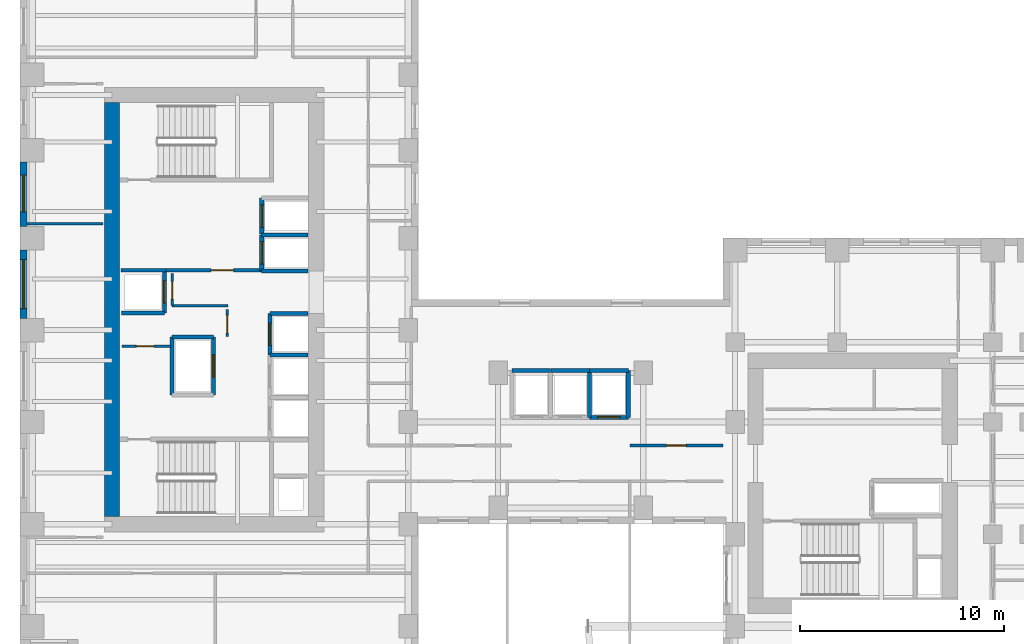
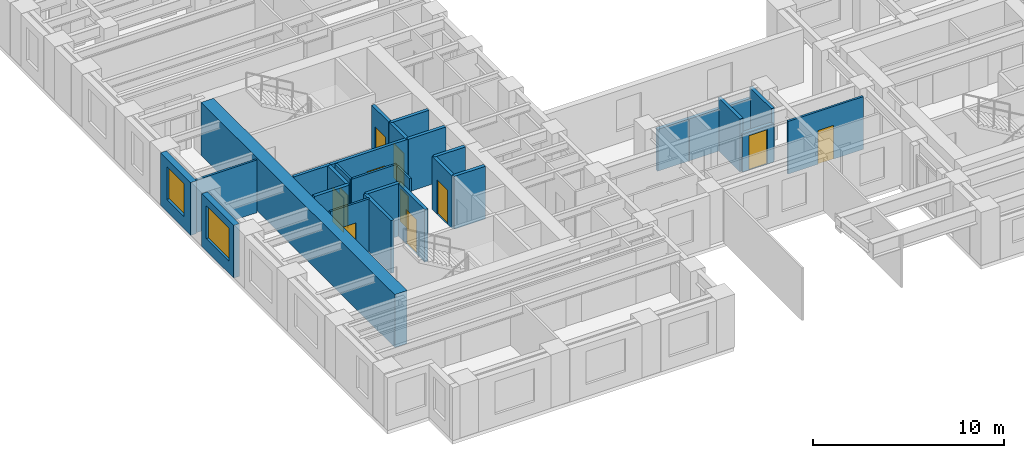
# One storey, part 8 of 14: 29 walls, 11 doors, 2 windows, 13 openings.
"""IFC4 building model written with IfcOpenShell, lengths in metres."""

from ifc_helpers import new_model, si_unit, direction, frame, frame_2d, origin, place, context, subcontext, project, spatial, rectangle, extrude, source, transform, mapped, material, layer, layer_set, type_object, element, fill, save


model = new_model("IFC4")

# Units and contexts
model_context = context("Model", 3, precision=1e-05, world=origin(), true_north=direction((0.0, 1.0)))
body_context = subcontext(model_context, "Body", "Model", "MODEL_VIEW")
ifc_project = project(units=[si_unit("LENGTHUNIT", "METRE"), si_unit("AREAUNIT", "SQUARE_METRE"), si_unit("VOLUMEUNIT", "CUBIC_METRE"), si_unit("PLANEANGLEUNIT", "RADIAN"), si_unit("MASSUNIT", "GRAM", prefix="KILO")], contexts=[model_context])

# Site, building, storey
site_placement = place(None, origin())
site = spatial("IfcSite", under=ifc_project, at=site_placement, CompositionType="ELEMENT")
building_placement = place(site_placement, origin())
building = spatial("IfcBuilding", under=site, at=building_placement, Name="Kharzan Plaza Tower", CompositionType="ELEMENT")
storey_placement = place(building_placement, frame((0.0, 0.0, 88.199951171875)))
storey = spatial("IfcBuildingStorey", under=building, at=storey_placement, Name="L23", CompositionType="ELEMENT", Elevation=88.199951171875)

# Wall, opening, window
ifc_material_1 = material(Name="Concrete C40/50", Category="concrete")
ifc_layer_1 = layer(ifc_material_1, 0.35009765625)
ifc_layer_set_1 = layer_set([ifc_layer_1], Name="Concrete C40/50")
wall_type_1 = type_object("IfcWallType", Name="WL-EXT-MAS-Z2", PredefinedType="SOLIDWALL", material=ifc_layer_set_1)
wall_1_placement = place(storey_placement, frame((0.175048828125, 26.22705078125, 0.0), z_axis=(0.0, 0.0, 1.0), x_axis=(0.0, -1.0, 0.0)))
wall_1 = element("IfcWall", 1, at=wall_1_placement, inside=storey, type_object=wall_type_1, Name="L23 Masonry-Frame Exterior Wall 21", PredefinedType="SOLIDWALL", context=body_context, shape_type="SweptSolid", body=[
    extrude(rectangle(XDim=3.154052734375, YDim=0.35009765625, at=frame_2d((1.5771484375, 0.0))), origin(), (0.0, 0.0, 1.0), 3.364990234375),
])
opening_1_placement = place(wall_1_placement, frame((0.6484375, 0.0, 0.780029296875)))
opening_1 = element("IfcOpeningElement", 2, at=opening_1_placement, cuts=wall_1, Name="Opening W1", PredefinedType="OPENING", context=body_context, shape_type="SweptSolid", body=[
    extrude(rectangle(XDim=1.800048828125, YDim=2.10009765625, at=frame_2d((0.89990234375, 1.050048828125))), frame((0.0, 0.18505859375, 0.0), z_axis=(0.0, -1.0, 0.0), x_axis=(1.0, 0.0, 0.0)), (0.0, 0.0, 1.0), 0.3701171875),
])
ifc_material_2 = material(Name="Low-E Double Glazing", Category="glass")
window_type_1 = type_object("IfcWindowType", Name="WN-REC-1800x2100", PartitioningType="SINGLE_PANEL", PredefinedType="WINDOW", material=ifc_material_2)
shared_shape_1 = source(origin(), body_context, "Body", "SweptSolid", [
    extrude(rectangle(XDim=1.800048828125, YDim=2.10009765625, at=frame_2d((0.89990234375, 1.050048828125))), frame((0.0, 0.030029296875, 0.0), z_axis=(0.0, -1.0, 0.0), x_axis=(1.0, 0.0, 0.0)), (0.0, 0.0, 1.0), 0.06005859375),
])
window_1_placement = place(opening_1_placement, origin())
window_1 = element("IfcWindow", 3, at=window_1_placement, inside=storey, type_object=window_type_1, Name="L23 Recessed Solar-Control Window 21-1", OverallHeight=2.10009765625, OverallWidth=1.800048828125, PartitioningType="SINGLE_PANEL", PredefinedType="WINDOW", context=body_context, shape_type="MappedRepresentation", body=[
    mapped(shared_shape_1, transform((0.0, 0.0, 0.0), x_axis=(1.0, 0.0, 0.0), y_axis=(0.0, 1.0, 0.0), z_axis=(0.0, 0.0, 1.0))),
])
fill(opening_1, window_1)

wall_2_placement = place(storey_placement, frame((0.175048828125, 21.927001953125, 0.0), z_axis=(0.0, 0.0, 1.0), x_axis=(0.0, -1.0, 0.0)))
wall_2 = element("IfcWall", 4, at=wall_2_placement, inside=storey, type_object=wall_type_1, Name="L23 Masonry-Frame Exterior Wall 22", PredefinedType="SOLIDWALL", context=body_context, shape_type="SweptSolid", body=[
    extrude(rectangle(XDim=3.35400390625, YDim=0.35009765625, at=frame_2d((1.677001953125, 0.0))), origin(), (0.0, 0.0, 1.0), 3.364990234375),
])
opening_2_placement = place(wall_2_placement, frame((0.47705078125, 0.0, 0.780029296875)))
opening_2 = element("IfcOpeningElement", 5, at=opening_2_placement, cuts=wall_2, Name="Opening W2", PredefinedType="OPENING", context=body_context, shape_type="SweptSolid", body=[
    extrude(rectangle(XDim=2.39990234375, YDim=2.10009765625, at=frame_2d((1.199951171875, 1.050048828125))), frame((0.0, 0.18505859375, 0.0), z_axis=(0.0, -1.0, 0.0), x_axis=(1.0, 0.0, 0.0)), (0.0, 0.0, 1.0), 0.3701171875),
])
window_type_2 = type_object("IfcWindowType", Name="WN-REC-2400x2100", PartitioningType="SINGLE_PANEL", PredefinedType="WINDOW", material=ifc_material_2)
shared_shape_2 = source(origin(), body_context, "Body", "SweptSolid", [
    extrude(rectangle(XDim=2.39990234375, YDim=2.10009765625, at=frame_2d((1.199951171875, 1.050048828125))), frame((0.0, 0.030029296875, 0.0), z_axis=(0.0, -1.0, 0.0), x_axis=(1.0, 0.0, 0.0)), (0.0, 0.0, 1.0), 0.06005859375),
])
window_2_placement = place(opening_2_placement, origin())
window_2 = element("IfcWindow", 6, at=window_2_placement, inside=storey, type_object=window_type_2, Name="L23 Wide Recessed Solar-Control Window 22-1", OverallHeight=2.10009765625, OverallWidth=2.39990234375, PartitioningType="SINGLE_PANEL", PredefinedType="WINDOW", context=body_context, shape_type="MappedRepresentation", body=[
    mapped(shared_shape_2, transform((0.0, 0.0, 0.0), x_axis=(1.0, 0.0, 0.0), y_axis=(0.0, 1.0, 0.0), z_axis=(0.0, 0.0, 1.0))),
])
fill(opening_2, window_2)

# Wall, opening, door
ifc_layer_2 = layer(ifc_material_1, 0.179931640625)
ifc_layer_set_2 = layer_set([ifc_layer_2], Name="Concrete C40/50")
wall_type_2 = type_object("IfcWallType", Name="WL-INT-FIRE-180", PredefinedType="PARTITIONING", material=ifc_layer_set_2)
wall_3_placement = place(storey_placement, frame((7.14990234375, 20.919921875, 0.0), z_axis=(0.0, 0.0, 1.0), x_axis=(1.0, 0.0, 0.0)))
wall_3 = element("IfcWall", 7, at=wall_3_placement, inside=storey, type_object=wall_type_2, Name="L23 Interior Partition CA-FF-S", PredefinedType="PARTITIONING", context=body_context, shape_type="SweptSolid", body=[
    extrude(rectangle(XDim=4.68017578125, YDim=0.179931640625, at=frame_2d((2.340087890625, 0.0))), origin(), (0.0, 0.0, 1.0), 3.364990234375),
])
opening_3_placement = place(wall_3_placement, frame((2.199951171875, 0.0, 0.0)))
opening_3 = element("IfcOpeningElement", 8, at=opening_3_placement, cuts=wall_3, Name="Opening FD1", PredefinedType="OPENING", context=body_context, shape_type="SweptSolid", body=[
    extrude(rectangle(XDim=1.10009765625, YDim=2.14990234375, at=frame_2d((0.550048828125, 1.074951171875))), frame((0.0, 0.099853515625, 0.0), z_axis=(0.0, -1.0, 0.0), x_axis=(1.0, 0.0, 0.0)), (0.0, 0.0, 1.0), 0.199951171875),
])
ifc_material_3 = material(Name="Fire-Rated Acoustic Vision-Panel Steel", Category="steel")
door_type_1 = type_object("IfcDoorType", Name="DR-FIRE-LOBBY", OperationType="NOTDEFINED", PredefinedType="DOOR", material=ifc_material_3)
shared_shape_3 = source(origin(), body_context, "Body", "SweptSolid", [
    extrude(rectangle(XDim=1.10009765625, YDim=2.14990234375, at=frame_2d((0.550048828125, 1.074951171875))), frame((0.0, 0.02490234375, 0.0), z_axis=(0.0, -1.0, 0.0), x_axis=(1.0, 0.0, 0.0)), (0.0, 0.0, 1.0), 0.050048828125),
])
door_1_placement = place(opening_3_placement, origin())
door_1 = element("IfcDoor", 9, at=door_1_placement, inside=storey, type_object=door_type_1, Name="L23 Firefighting Lobby Door", OperationType="SINGLE_SWING_LEFT", OverallHeight=2.14990234375, OverallWidth=1.10009765625, PredefinedType="DOOR", context=body_context, shape_type="MappedRepresentation", body=[
    mapped(shared_shape_3, transform((0.0, 0.0, 0.0), x_axis=(1.0, 0.0, 0.0), y_axis=(0.0, 1.0, 0.0), z_axis=(0.0, 0.0, 1.0))),
])
fill(opening_3, door_1)

ifc_material_4 = material(Name="Fire-Rated Gypsum Board Partition", Category="gypsum")
ifc_layer_3 = layer(ifc_material_4, 0.125)
ifc_layer_set_3 = layer_set([ifc_layer_3], Name="Fire-Rated Gypsum Board Partition")
wall_type_3 = type_object("IfcWallType", Name="WL-INT-PART-125", PredefinedType="PARTITIONING", material=ifc_layer_set_3)
wall_4_placement = place(storey_placement, frame((10.14990234375, 17.679931640625, 0.0), z_axis=(0.0, 0.0, 1.0), x_axis=(0.0, 1.0, 0.0)))
wall_4 = element("IfcWall", 10, at=wall_4_placement, inside=storey, type_object=wall_type_3, Name="L23 Interior Partition CA-K2A", PredefinedType="PARTITIONING", context=body_context, shape_type="SweptSolid", body=[
    extrude(rectangle(XDim=1.320068359375, YDim=0.125, at=frame_2d((0.66015625, 0.0))), origin(), (0.0, 0.0, 1.0), 3.364990234375),
])
opening_4_placement = place(wall_4_placement, frame((0.18505859375, 0.0, 0.0)))
opening_4 = element("IfcOpeningElement", 11, at=opening_4_placement, cuts=wall_4, Name="Opening RD1", PredefinedType="OPENING", context=body_context, shape_type="SweptSolid", body=[
    extrude(rectangle(XDim=0.85009765625, YDim=2.10009765625, at=frame_2d((0.425048828125, 1.050048828125))), frame((0.0, 0.072509765625, 0.0), z_axis=(0.0, -1.0, 0.0), x_axis=(1.0, 0.0, 0.0)), (0.0, 0.0, 1.0), 0.14501953125),
])
ifc_material_5 = material(Name="Powder-Coated Fire-Rated Steel", Category="steel")
door_type_2 = type_object("IfcDoorType", Name="DR-RISER-900", OperationType="NOTDEFINED", PredefinedType="DOOR", material=ifc_material_5)
shared_shape_4 = source(origin(), body_context, "Body", "SweptSolid", [
    extrude(rectangle(XDim=0.85009765625, YDim=2.10009765625, at=frame_2d((0.425048828125, 1.050048828125))), frame((0.0, 0.02490234375, 0.0), z_axis=(0.0, -1.0, 0.0), x_axis=(1.0, 0.0, 0.0)), (0.0, 0.0, 1.0), 0.050048828125),
])
door_2_placement = place(opening_4_placement, origin())
door_2 = element("IfcDoor", 12, at=door_2_placement, inside=storey, type_object=door_type_2, Name="L23 Core Mechanical Store Door", OperationType="SINGLE_SWING_RIGHT", OverallHeight=2.10009765625, OverallWidth=0.85009765625, PredefinedType="DOOR", context=body_context, shape_type="MappedRepresentation", body=[
    mapped(shared_shape_4, transform((0.0, 0.0, 0.0), x_axis=(1.0, 0.0, 0.0), y_axis=(0.0, 1.0, 0.0), z_axis=(0.0, 0.0, 1.0))),
])
fill(opening_4, door_2)

wall_5_placement = place(storey_placement, frame((7.449951171875, 19.199951171875, 0.0), z_axis=(0.0, 0.0, 1.0), x_axis=(0.0, 1.0, 0.0)))
wall_5 = element("IfcWall", 13, at=wall_5_placement, inside=storey, type_object=wall_type_3, Name="L23 Interior Partition CA-K2B", PredefinedType="PARTITIONING", context=body_context, shape_type="SweptSolid", body=[
    extrude(rectangle(XDim=1.580078125, YDim=0.125, at=frame_2d((0.7900390625, 0.0))), origin(), (0.0, 0.0, 1.0), 3.364990234375),
])
opening_5_placement = place(wall_5_placement, frame((0.31494140625, 0.0, 0.0)))
opening_5 = element("IfcOpeningElement", 14, at=opening_5_placement, cuts=wall_5, Name="Opening RD1", PredefinedType="OPENING", context=body_context, shape_type="SweptSolid", body=[
    extrude(rectangle(XDim=0.85009765625, YDim=2.10009765625, at=frame_2d((0.425048828125, 1.050048828125))), frame((0.0, 0.072509765625, 0.0), z_axis=(0.0, -1.0, 0.0), x_axis=(1.0, 0.0, 0.0)), (0.0, 0.0, 1.0), 0.14501953125),
])
door_3_placement = place(opening_5_placement, origin())
door_3 = element("IfcDoor", 15, at=door_3_placement, inside=storey, type_object=door_type_2, Name="L23 Core Plant Store Door", OperationType="SINGLE_SWING_LEFT", OverallHeight=2.10009765625, OverallWidth=0.85009765625, PredefinedType="DOOR", context=body_context, shape_type="MappedRepresentation", body=[
    mapped(shared_shape_4, transform((0.0, 0.0, 0.0), x_axis=(1.0, 0.0, 0.0), y_axis=(0.0, 1.0, 0.0), z_axis=(0.0, 0.0, 1.0))),
])
fill(opening_5, door_3)

wall_6_placement = place(storey_placement, frame((5.0, 17.199951171875, 0.0), z_axis=(0.0, 0.0, 1.0), x_axis=(1.0, 0.0, 0.0)))
wall_6 = element("IfcWall", 16, at=wall_6_placement, inside=storey, type_object=wall_type_3, Name="L23 Interior Partition CA-K2N0", PredefinedType="PARTITIONING", context=body_context, shape_type="SweptSolid", body=[
    extrude(rectangle(XDim=2.39990234375, YDim=0.125, at=frame_2d((1.199951171875, 0.0))), origin(), (0.0, 0.0, 1.0), 3.364990234375),
])
opening_6_placement = place(wall_6_placement, frame((0.699951171875, 0.0, 0.0)))
opening_6 = element("IfcOpeningElement", 17, at=opening_6_placement, cuts=wall_6, Name="Opening RD1", PredefinedType="OPENING", context=body_context, shape_type="SweptSolid", body=[
    extrude(rectangle(XDim=0.85009765625, YDim=2.10009765625, at=frame_2d((0.425048828125, 1.050048828125))), frame((0.0, 0.072509765625, 0.0), z_axis=(0.0, -1.0, 0.0), x_axis=(1.0, 0.0, 0.0)), (0.0, 0.0, 1.0), 0.14501953125),
])
door_4_placement = place(opening_6_placement, origin())
door_4 = element("IfcDoor", 18, at=door_4_placement, inside=storey, type_object=door_type_2, Name="L23 Core Electrical Store Door", OperationType="SINGLE_SWING_LEFT", OverallHeight=2.10009765625, OverallWidth=0.85009765625, PredefinedType="DOOR", context=body_context, shape_type="MappedRepresentation", body=[
    mapped(shared_shape_4, transform((0.0, 0.0, 0.0), x_axis=(1.0, 0.0, 0.0), y_axis=(0.0, 1.0, 0.0), z_axis=(0.0, 0.0, 1.0))),
])
fill(opening_6, door_4)

wall_7_placement = place(storey_placement, frame((29.85009765625, 12.35009765625, 0.0), z_axis=(0.0, 0.0, 1.0), x_axis=(1.0, 0.0, 0.0)))
wall_7 = element("IfcWall", 19, at=wall_7_placement, inside=storey, type_object=wall_type_3, Name="L23 Interior Partition SH-SPNE1", PredefinedType="PARTITIONING", context=body_context, shape_type="SweptSolid", body=[
    extrude(rectangle(XDim=4.5498046875, YDim=0.125, at=frame_2d((2.27490234375, 0.0))), origin(), (0.0, 0.0, 1.0), 3.364990234375),
])
opening_7_placement = place(wall_7_placement, frame((1.800048828125, 0.0, 0.0)))
opening_7 = element("IfcOpeningElement", 20, at=opening_7_placement, cuts=wall_7, Name="Opening OD1", PredefinedType="OPENING", context=body_context, shape_type="SweptSolid", body=[
    extrude(rectangle(XDim=0.949951171875, YDim=2.14990234375, at=frame_2d((0.47509765625, 1.074951171875))), frame((0.0, 0.072509765625, 0.0), z_axis=(0.0, -1.0, 0.0), x_axis=(1.0, 0.0, 0.0)), (0.0, 0.0, 1.0), 0.14501953125),
])
ifc_material_6 = material(Name="Acoustic Solid-Core Stained Oak", Category="timber")
door_type_3 = type_object("IfcDoorType", Name="DR-OFF-SINGLE", OperationType="NOTDEFINED", PredefinedType="DOOR", material=ifc_material_6)
shared_shape_5 = source(origin(), body_context, "Body", "SweptSolid", [
    extrude(rectangle(XDim=0.949951171875, YDim=2.14990234375, at=frame_2d((0.47509765625, 1.074951171875))), frame((0.0, 0.02490234375, 0.0), z_axis=(0.0, -1.0, 0.0), x_axis=(1.0, 0.0, 0.0)), (0.0, 0.0, 1.0), 0.050048828125),
])
door_5_placement = place(opening_7_placement, origin())
door_5 = element("IfcDoor", 21, at=door_5_placement, inside=storey, type_object=door_type_3, Name="L23 North-East Spine Door", OperationType="SINGLE_SWING_RIGHT", OverallHeight=2.14990234375, OverallWidth=0.949951171875, PredefinedType="DOOR", context=body_context, shape_type="MappedRepresentation", body=[
    mapped(shared_shape_5, transform((0.0, 0.0, 0.0), x_axis=(1.0, 0.0, 0.0), y_axis=(0.0, 1.0, 0.0), z_axis=(0.0, 0.0, 1.0))),
])
fill(opening_7, door_5)

ifc_layer_4 = layer(ifc_material_1, 0.199951171875)
ifc_layer_set_4 = layer_set([ifc_layer_4], Name="Concrete C40/50")
wall_type_4 = type_object("IfcWallType", Name="WL-INT-SHAFT-200", PredefinedType="PARTITIONING", material=ifc_layer_set_4)
wall_8_placement = place(storey_placement, frame((11.830078125, 20.89990234375, 0.0), z_axis=(0.0, 0.0, 1.0), x_axis=(0.0, 1.0, 0.0)))
wall_8 = element("IfcWall", 22, at=wall_8_placement, inside=storey, type_object=wall_type_4, Name="L23 Interior Partition SHF-FFL-1-W", PredefinedType="PARTITIONING", context=body_context, shape_type="SweptSolid", body=[
    extrude(rectangle(XDim=1.760009765625, YDim=0.199951171875, at=frame_2d((0.8798828125, 0.0))), origin(), (0.0, 0.0, 1.0), 3.364990234375),
])
opening_8_placement = place(wall_8_placement, frame((0.330078125, 0.0, 0.0)))
opening_8 = element("IfcOpeningElement", 23, at=opening_8_placement, cuts=wall_8, Name="Opening LD", PredefinedType="OPENING", context=body_context, shape_type="SweptSolid", body=[
    extrude(rectangle(XDim=1.10009765625, YDim=2.199951171875, at=frame_2d((0.550048828125, 1.10009765625))), frame((0.0, 0.10986328125, 0.0), z_axis=(0.0, -1.0, 0.0), x_axis=(1.0, 0.0, 0.0)), (0.0, 0.0, 1.0), 0.219970703125),
])
ifc_material_7 = material(Name="Brushed Stainless Steel", Category="steel")
door_type_4 = type_object("IfcDoorType", Name="DR-LIFT-SLIDE", OperationType="SLIDING_TO_LEFT", PredefinedType="DOOR", material=ifc_material_7)
shared_shape_6 = source(origin(), body_context, "Body", "SweptSolid", [
    extrude(rectangle(XDim=1.10009765625, YDim=2.199951171875, at=frame_2d((0.550048828125, 1.10009765625))), frame((0.0, 0.02490234375, 0.0), z_axis=(0.0, -1.0, 0.0), x_axis=(1.0, 0.0, 0.0)), (0.0, 0.0, 1.0), 0.050048828125),
])
door_6_placement = place(opening_8_placement, origin())
door_6 = element("IfcDoor", 24, at=door_6_placement, inside=storey, type_object=door_type_4, Name="L23 Firefighting Lift FFL-1 Sliding Landing Door", OperationType="SLIDING_TO_LEFT", OverallHeight=2.199951171875, OverallWidth=1.10009765625, PredefinedType="DOOR", context=body_context, shape_type="MappedRepresentation", body=[
    mapped(shared_shape_6, transform((0.0, 0.0, 0.0), x_axis=(1.0, 0.0, 0.0), y_axis=(0.0, 1.0, 0.0), z_axis=(0.0, 0.0, 1.0))),
])
fill(opening_8, door_6)

wall_9_placement = place(storey_placement, frame((11.830078125, 22.699951171875, 0.0), z_axis=(0.0, 0.0, 1.0), x_axis=(0.0, 1.0, 0.0)))
wall_9 = element("IfcWall", 25, at=wall_9_placement, inside=storey, type_object=wall_type_4, Name="L23 Interior Partition SHF-FFL-2-W", PredefinedType="PARTITIONING", context=body_context, shape_type="SweptSolid", body=[
    extrude(rectangle(XDim=1.760009765625, YDim=0.199951171875, at=frame_2d((0.8798828125, 0.0))), origin(), (0.0, 0.0, 1.0), 3.364990234375),
])
opening_9_placement = place(wall_9_placement, frame((0.330078125, 0.0, 0.0)))
opening_9 = element("IfcOpeningElement", 26, at=opening_9_placement, cuts=wall_9, Name="Opening LD", PredefinedType="OPENING", context=body_context, shape_type="SweptSolid", body=[
    extrude(rectangle(XDim=1.10009765625, YDim=2.199951171875, at=frame_2d((0.550048828125, 1.10009765625))), frame((0.0, 0.10986328125, 0.0), z_axis=(0.0, -1.0, 0.0), x_axis=(1.0, 0.0, 0.0)), (0.0, 0.0, 1.0), 0.219970703125),
])
door_7_placement = place(opening_9_placement, origin())
door_7 = element("IfcDoor", 27, at=door_7_placement, inside=storey, type_object=door_type_4, Name="L23 Firefighting Lift FFL-2 Sliding Landing Door", OperationType="SLIDING_TO_LEFT", OverallHeight=2.199951171875, OverallWidth=1.10009765625, PredefinedType="DOOR", context=body_context, shape_type="MappedRepresentation", body=[
    mapped(shared_shape_6, transform((0.0, 0.0, 0.0), x_axis=(1.0, 0.0, 0.0), y_axis=(0.0, 1.0, 0.0), z_axis=(0.0, 0.0, 1.0))),
])
fill(opening_9, door_7)

wall_10_placement = place(storey_placement, frame((12.22998046875, 16.77001953125, 0.0), z_axis=(0.0, 0.0, 1.0), x_axis=(0.0, 1.0, 0.0)))
wall_10 = element("IfcWall", 28, at=wall_10_placement, inside=storey, type_object=wall_type_4, Name="L23 Interior Partition SHF-PL-H3-W", PredefinedType="PARTITIONING", context=body_context, shape_type="SweptSolid", body=[
    extrude(rectangle(XDim=2.050048828125, YDim=0.199951171875, at=frame_2d((1.02490234375, 0.0))), origin(), (0.0, 0.0, 1.0), 3.364990234375),
])
opening_10_placement = place(wall_10_placement, frame((0.47509765625, 0.0, 0.0)))
opening_10 = element("IfcOpeningElement", 29, at=opening_10_placement, cuts=wall_10, Name="Opening LD", PredefinedType="OPENING", context=body_context, shape_type="SweptSolid", body=[
    extrude(rectangle(XDim=1.10009765625, YDim=2.199951171875, at=frame_2d((0.550048828125, 1.10009765625))), frame((0.0, 0.10986328125, 0.0), z_axis=(0.0, -1.0, 0.0), x_axis=(1.0, 0.0, 0.0)), (0.0, 0.0, 1.0), 0.219970703125),
])
door_8_placement = place(opening_10_placement, origin())
door_8 = element("IfcDoor", 30, at=door_8_placement, inside=storey, type_object=door_type_4, Name="L23 High-Rise Passenger Lift PL-H3 Sliding Landing Door", OperationType="SLIDING_TO_LEFT", OverallHeight=2.199951171875, OverallWidth=1.10009765625, PredefinedType="DOOR", context=body_context, shape_type="MappedRepresentation", body=[
    mapped(shared_shape_6, transform((0.0, 0.0, 0.0), x_axis=(1.0, 0.0, 0.0), y_axis=(0.0, 1.0, 0.0), z_axis=(0.0, 0.0, 1.0))),
])
fill(opening_10, door_8)

wall_11_placement = place(storey_placement, frame((7.070068359375, 18.840087890625, 0.0), z_axis=(0.0, 0.0, 1.0), x_axis=(0.0, 1.0, 0.0)))
wall_11 = element("IfcWall", 31, at=wall_11_placement, inside=storey, type_object=wall_type_4, Name="L23 Interior Partition SHF-PL-H4-E", PredefinedType="PARTITIONING", context=body_context, shape_type="SweptSolid", body=[
    extrude(rectangle(XDim=2.059814453125, YDim=0.199951171875, at=frame_2d((1.02978515625, 0.0))), origin(), (0.0, 0.0, 1.0), 3.364990234375),
])
opening_11_placement = place(wall_11_placement, frame((0.47998046875, 0.0, 0.0)))
opening_11 = element("IfcOpeningElement", 32, at=opening_11_placement, cuts=wall_11, Name="Opening LD", PredefinedType="OPENING", context=body_context, shape_type="SweptSolid", body=[
    extrude(rectangle(XDim=1.10009765625, YDim=2.199951171875, at=frame_2d((0.550048828125, 1.10009765625))), frame((0.0, 0.10986328125, 0.0), z_axis=(0.0, -1.0, 0.0), x_axis=(1.0, 0.0, 0.0)), (0.0, 0.0, 1.0), 0.219970703125),
])
door_9_placement = place(opening_11_placement, origin())
door_9 = element("IfcDoor", 33, at=door_9_placement, inside=storey, type_object=door_type_4, Name="L23 High-Rise Passenger Lift PL-H4 Sliding Landing Door", OperationType="SLIDING_TO_LEFT", OverallHeight=2.199951171875, OverallWidth=1.10009765625, PredefinedType="DOOR", context=body_context, shape_type="MappedRepresentation", body=[
    mapped(shared_shape_6, transform((0.0, 0.0, 0.0), x_axis=(1.0, 0.0, 0.0), y_axis=(0.0, 1.0, 0.0), z_axis=(0.0, 0.0, 1.0))),
])
fill(opening_11, door_9)

wall_12_placement = place(storey_placement, frame((27.8798828125, 13.72998046875, 0.0), z_axis=(0.0, 0.0, 1.0), x_axis=(1.0, 0.0, 0.0)))
wall_12 = element("IfcWall", 34, at=wall_12_placement, inside=storey, type_object=wall_type_4, Name="L23 Interior Partition SHF-PL-M3-S", PredefinedType="PARTITIONING", context=body_context, shape_type="SweptSolid", body=[
    extrude(rectangle(XDim=1.89013671875, YDim=0.199951171875, at=frame_2d((0.945068359375, 0.0))), origin(), (0.0, 0.0, 1.0), 2.446044921875),
])
opening_12_placement = place(wall_12_placement, frame((0.39501953125, 0.0, 0.0)))
opening_12 = element("IfcOpeningElement", 35, at=opening_12_placement, cuts=wall_12, Name="Opening LD", PredefinedType="OPENING", context=body_context, shape_type="SweptSolid", body=[
    extrude(rectangle(XDim=1.10009765625, YDim=2.199951171875, at=frame_2d((0.550048828125, 1.10009765625))), frame((0.0, 0.10986328125, 0.0), z_axis=(0.0, -1.0, 0.0), x_axis=(1.0, 0.0, 0.0)), (0.0, 0.0, 1.0), 0.219970703125),
])
door_10_placement = place(opening_12_placement, origin())
door_10 = element("IfcDoor", 36, at=door_10_placement, inside=storey, type_object=door_type_4, Name="L23 Mid-Rise Passenger Lift PL-M3 Sliding Landing Door", OperationType="SLIDING_TO_LEFT", OverallHeight=2.199951171875, OverallWidth=1.10009765625, PredefinedType="DOOR", context=body_context, shape_type="MappedRepresentation", body=[
    mapped(shared_shape_6, transform((0.0, 0.0, 0.0), x_axis=(1.0, 0.0, 0.0), y_axis=(0.0, 1.0, 0.0), z_axis=(0.0, 0.0, 1.0))),
])
fill(opening_12, door_10)

wall_13_placement = place(storey_placement, frame((9.469970703125, 14.830078125, 0.0), z_axis=(0.0, 0.0, 1.0), x_axis=(0.0, 1.0, 0.0)))
wall_13 = element("IfcWall", 37, at=wall_13_placement, inside=storey, type_object=wall_type_4, Name="L23 Interior Partition SHF-SVL-1-E", PredefinedType="PARTITIONING", context=body_context, shape_type="SweptSolid", body=[
    extrude(rectangle(XDim=2.83984375, YDim=0.199951171875, at=frame_2d((1.419921875, 0.0))), origin(), (0.0, 0.0, 1.0), 3.364990234375),
])
opening_13_placement = place(wall_13_placement, frame((0.8701171875, 0.0, 0.0)))
opening_13 = element("IfcOpeningElement", 38, at=opening_13_placement, cuts=wall_13, Name="Opening LD", PredefinedType="OPENING", context=body_context, shape_type="SweptSolid", body=[
    extrude(rectangle(XDim=1.10009765625, YDim=2.199951171875, at=frame_2d((0.550048828125, 1.10009765625))), frame((0.0, 0.10986328125, 0.0), z_axis=(0.0, -1.0, 0.0), x_axis=(1.0, 0.0, 0.0)), (0.0, 0.0, 1.0), 0.219970703125),
])
door_11_placement = place(opening_13_placement, origin())
door_11 = element("IfcDoor", 39, at=door_11_placement, inside=storey, type_object=door_type_4, Name="L23 Service Lift SVL-1 Sliding Landing Door", OperationType="SLIDING_TO_LEFT", OverallHeight=2.199951171875, OverallWidth=1.10009765625, PredefinedType="DOOR", context=body_context, shape_type="MappedRepresentation", body=[
    mapped(shared_shape_6, transform((0.0, 0.0, 0.0), x_axis=(1.0, 0.0, 0.0), y_axis=(0.0, 1.0, 0.0), z_axis=(0.0, 0.0, 1.0))),
])
fill(opening_13, door_11)

# Walls
shared_shape_7 = source(origin(), body_context, "Body", "SweptSolid", [
    extrude(rectangle(XDim=2.72998046875, YDim=0.125, at=frame_2d((1.364990234375, 0.0))), origin(), (0.0, 0.0, 1.0), 3.364990234375),
])
wall_14_placement = place(storey_placement, frame((7.449951171875, 19.199951171875, 0.0), z_axis=(0.0, 0.0, 1.0), x_axis=(1.0, 0.0, 0.0)))
element("IfcWall", 40, at=wall_14_placement, inside=storey, type_object=wall_type_3, Name="L23 Interior Partition CA-K2M", PredefinedType="PARTITIONING", context=body_context, shape_type="MappedRepresentation", body=[
    mapped(shared_shape_7, transform((0.0, 0.0, 0.0), x_axis=(1.0, 0.0, 0.0), y_axis=(0.0, 1.0, 0.0), z_axis=(0.0, 0.0, 1.0))),
])
shared_shape_8 = source(origin(), body_context, "Body", "SweptSolid", [
    extrude(rectangle(XDim=2.090087890625, YDim=0.199951171875, at=frame_2d((1.044921875, 0.0))), origin(), (0.0, 0.0, 1.0), 3.364990234375),
])
wall_15_placement = place(storey_placement, frame((4.97998046875, 18.840087890625, 0.0), z_axis=(0.0, 0.0, 1.0), x_axis=(1.0, 0.0, 0.0)))
element("IfcWall", 41, at=wall_15_placement, inside=storey, type_object=wall_type_4, Name="L23 Interior Partition SHF-PL-H4-S", PredefinedType="PARTITIONING", context=body_context, shape_type="MappedRepresentation", body=[
    mapped(shared_shape_8, transform((0.0, 0.0, 0.0), x_axis=(1.0, 0.0, 0.0), y_axis=(0.0, 1.0, 0.0), z_axis=(0.0, 0.0, 1.0))),
])
shared_shape_9 = source(origin(), body_context, "Body", "SweptSolid", [
    extrude(rectangle(XDim=2.2900390625, YDim=0.199951171875, at=frame_2d((1.14501953125, 0.0))), origin(), (0.0, 0.0, 1.0), 3.364990234375),
])
for number, where, z_axis, x_axis, name in (
    (42, (27.8701171875, 13.72998046875, 0.0), (0.0, 0.0, 1.0), (0.0, 1.0, 0.0), "L23 Interior Partition SHF-PL-M2-E"),
    (43, (29.77001953125, 13.72998046875, 0.0), (0.0, 0.0, 1.0), (0.0, 1.0, 0.0), "L23 Interior Partition SHF-PL-M3-E"),
):
    element("IfcWall", number, at=place(storey_placement, frame(where, z_axis=z_axis, x_axis=x_axis)), inside=storey, type_object=wall_type_4, Name=name, PredefinedType="PARTITIONING", context=body_context, shape_type="MappedRepresentation", body=[
        mapped(shared_shape_9, transform((0.0, 0.0, 0.0), x_axis=(1.0, 0.0, 0.0), y_axis=(0.0, 1.0, 0.0), z_axis=(0.0, 0.0, 1.0))),
    ])
shared_shape_10 = source(origin(), body_context, "Body", "SweptSolid", [
    extrude(rectangle(XDim=2.0400390625, YDim=0.199951171875, at=frame_2d((1.02001953125, 0.0))), origin(), (0.0, 0.0, 1.0), 3.364990234375),
])
wall_16_placement = place(storey_placement, frame((7.429931640625, 17.669921875, 0.0), z_axis=(0.0, 0.0, 1.0), x_axis=(1.0, 0.0, 0.0)))
element("IfcWall", 44, at=wall_16_placement, inside=storey, type_object=wall_type_4, Name="L23 Interior Partition SHF-SVL-1-N", PredefinedType="PARTITIONING", context=body_context, shape_type="MappedRepresentation", body=[
    mapped(shared_shape_10, transform((0.0, 0.0, 0.0), x_axis=(1.0, 0.0, 0.0), y_axis=(0.0, 1.0, 0.0), z_axis=(0.0, 0.0, 1.0))),
])
shared_shape_11 = source(origin(), body_context, "Body", "SweptSolid", [
    extrude(rectangle(XDim=2.83984375, YDim=0.199951171875, at=frame_2d((1.419921875, 0.0))), origin(), (0.0, 0.0, 1.0), 3.364990234375),
])
wall_17_placement = place(storey_placement, frame((7.429931640625, 14.830078125, 0.0), z_axis=(0.0, 0.0, 1.0), x_axis=(0.0, 1.0, 0.0)))
element("IfcWall", 45, at=wall_17_placement, inside=storey, type_object=wall_type_4, Name="L23 Interior Partition SHF-SVL-1-W", PredefinedType="PARTITIONING", context=body_context, shape_type="MappedRepresentation", body=[
    mapped(shared_shape_11, transform((0.0, 0.0, 0.0), x_axis=(1.0, 0.0, 0.0), y_axis=(0.0, 1.0, 0.0), z_axis=(0.0, 0.0, 1.0))),
])
ifc_material_8 = material(Name="Concrete C60/75", Category="concrete")
ifc_layer_5 = layer(ifc_material_8, 0.75)
ifc_layer_set_5 = layer_set([ifc_layer_5], Name="Concrete C60/75")
wall_type_5 = type_object("IfcWallType", Name="WL-CORE-750", PredefinedType="SHEAR", material=ifc_layer_set_5)
shared_shape_12 = source(origin(), body_context, "Body", "SweptSolid", [
    extrude(rectangle(XDim=20.25, YDim=0.75, at=frame_2d((10.125, 0.0))), origin(), (0.0, 0.0, 1.0), 3.380126953125),
])
wall_18_placement = place(storey_placement, frame((4.5, 8.875, 0.0), z_axis=(0.0, 0.0, 1.0), x_axis=(0.0, 1.0, 0.0)))
element("IfcWall", 46, at=wall_18_placement, inside=storey, type_object=wall_type_5, Name="L23 CORE-A west RC shear wall", PredefinedType="SHEAR", context=body_context, shape_type="MappedRepresentation", body=[
    mapped(shared_shape_12, transform((0.0, 0.0, 0.0), x_axis=(1.0, 0.0, 0.0), y_axis=(0.0, 1.0, 0.0), z_axis=(0.0, 0.0, 1.0))),
])
shared_shape_13 = source(origin(), body_context, "Body", "SweptSolid", [
    extrude(rectangle(XDim=2.199951171875, YDim=0.179931640625, at=frame_2d((1.10009765625, 0.0))), origin(), (0.0, 0.0, 1.0), 3.364990234375),
])
wall_19_placement = place(storey_placement, frame((4.949951171875, 20.919921875, 0.0), z_axis=(0.0, 0.0, 1.0), x_axis=(1.0, 0.0, 0.0)))
element("IfcWall", 47, at=wall_19_placement, inside=storey, type_object=wall_type_2, Name="L23 Interior Partition CA-FF-SW", PredefinedType="PARTITIONING", context=body_context, shape_type="MappedRepresentation", body=[
    mapped(shared_shape_13, transform((0.0, 0.0, 0.0), x_axis=(1.0, 0.0, 0.0), y_axis=(0.0, 1.0, 0.0), z_axis=(0.0, 0.0, 1.0))),
])
shared_shape_14 = source(origin(), body_context, "Body", "SweptSolid", [
    extrude(rectangle(XDim=3.697998046875, YDim=0.125, at=frame_2d((1.84912109375, 0.0))), origin(), (0.0, 0.0, 1.0), 3.364990234375),
])
wall_20_placement = place(storey_placement, frame((0.35205078125, 23.199951171875, 0.0), z_axis=(0.0, 0.0, 1.0), x_axis=(1.0, 0.0, 0.0)))
element("IfcWall", 48, at=wall_20_placement, inside=storey, type_object=wall_type_3, Name="L23 Interior Partition SH-WMID", PredefinedType="PARTITIONING", context=body_context, shape_type="MappedRepresentation", body=[
    mapped(shared_shape_14, transform((0.0, 0.0, 0.0), x_axis=(1.0, 0.0, 0.0), y_axis=(0.0, 1.0, 0.0), z_axis=(0.0, 0.0, 1.0))),
])
shared_shape_15 = source(origin(), body_context, "Body", "SweptSolid", [
    extrude(rectangle(XDim=2.264892578125, YDim=0.199951171875, at=frame_2d((1.13232421875, 0.0))), origin(), (0.0, 0.0, 1.0), 3.364990234375),
])
for number, where, z_axis, x_axis, name in (
    (49, (11.830078125, 22.659912109375, 0.0), (0.0, 0.0, 1.0), (1.0, 0.0, 0.0), "L23 Interior Partition SHF-FFL-1-N"),
    (50, (11.830078125, 20.89990234375, 0.0), (0.0, 0.0, 1.0), (1.0, 0.0, 0.0), "L23 Interior Partition SHF-FFL-1-S"),
):
    element("IfcWall", number, at=place(storey_placement, frame(where, z_axis=z_axis, x_axis=x_axis)), inside=storey, type_object=wall_type_4, Name=name, PredefinedType="PARTITIONING", context=body_context, shape_type="MappedRepresentation", body=[
        mapped(shared_shape_15, transform((0.0, 0.0, 0.0), x_axis=(1.0, 0.0, 0.0), y_axis=(0.0, 1.0, 0.0), z_axis=(0.0, 0.0, 1.0))),
    ])
shared_shape_16 = source(origin(), body_context, "Body", "SweptSolid", [
    extrude(rectangle(XDim=1.864990234375, YDim=0.199951171875, at=frame_2d((0.9326171875, 0.0))), origin(), (0.0, 0.0, 1.0), 3.364990234375),
])
for number, where, z_axis, x_axis, name in (
    (51, (12.22998046875, 16.77001953125, 0.0), (0.0, 0.0, 1.0), (1.0, 0.0, 0.0), "L23 Interior Partition SHF-PL-H2-N"),
    (52, (12.22998046875, 18.820068359375, 0.0), (0.0, 0.0, 1.0), (1.0, 0.0, 0.0), "L23 Interior Partition SHF-PL-H3-N"),
):
    element("IfcWall", number, at=place(storey_placement, frame(where, z_axis=z_axis, x_axis=x_axis)), inside=storey, type_object=wall_type_4, Name=name, PredefinedType="PARTITIONING", context=body_context, shape_type="MappedRepresentation", body=[
        mapped(shared_shape_16, transform((0.0, 0.0, 0.0), x_axis=(1.0, 0.0, 0.0), y_axis=(0.0, 1.0, 0.0), z_axis=(0.0, 0.0, 1.0))),
    ])
shared_shape_17 = source(origin(), body_context, "Body", "SweptSolid", [
    extrude(rectangle(XDim=1.889892578125, YDim=0.199951171875, at=frame_2d((0.94482421875, 0.0))), origin(), (0.0, 0.0, 1.0), 2.677001953125),
])
wall_21_placement = place(storey_placement, frame((24.080078125, 16.02001953125, 0.0), z_axis=(0.0, 0.0, 1.0), x_axis=(1.0, 0.0, 0.0)))
element("IfcWall", 53, at=wall_21_placement, inside=storey, type_object=wall_type_4, Name="L23 Interior Partition SHF-PL-M1-N", PredefinedType="PARTITIONING", context=body_context, shape_type="MappedRepresentation", body=[
    mapped(shared_shape_17, transform((0.0, 0.0, 0.0), x_axis=(1.0, 0.0, 0.0), y_axis=(0.0, 1.0, 0.0), z_axis=(0.0, 0.0, 1.0))),
])
shared_shape_18 = source(origin(), body_context, "Body", "SweptSolid", [
    extrude(rectangle(XDim=1.89013671875, YDim=0.199951171875, at=frame_2d((0.945068359375, 0.0))), origin(), (0.0, 0.0, 1.0), 2.677001953125),
])
for number, where, z_axis, x_axis, name in (
    (54, (25.97998046875, 16.02001953125, 0.0), (0.0, 0.0, 1.0), (1.0, 0.0, 0.0), "L23 Interior Partition SHF-PL-M2-N"),
    (55, (27.8798828125, 16.02001953125, 0.0), (0.0, 0.0, 1.0), (1.0, 0.0, 0.0), "L23 Interior Partition SHF-PL-M3-N"),
):
    element("IfcWall", number, at=place(storey_placement, frame(where, z_axis=z_axis, x_axis=x_axis)), inside=storey, type_object=wall_type_4, Name=name, PredefinedType="PARTITIONING", context=body_context, shape_type="MappedRepresentation", body=[
        mapped(shared_shape_18, transform((0.0, 0.0, 0.0), x_axis=(1.0, 0.0, 0.0), y_axis=(0.0, 1.0, 0.0), z_axis=(0.0, 0.0, 1.0))),
    ])

save(model, "model.ifc")
